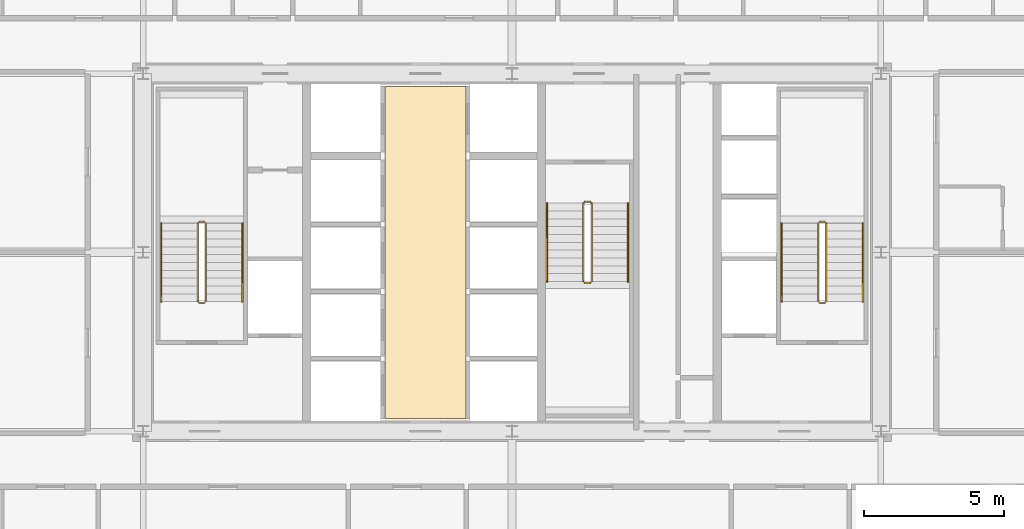
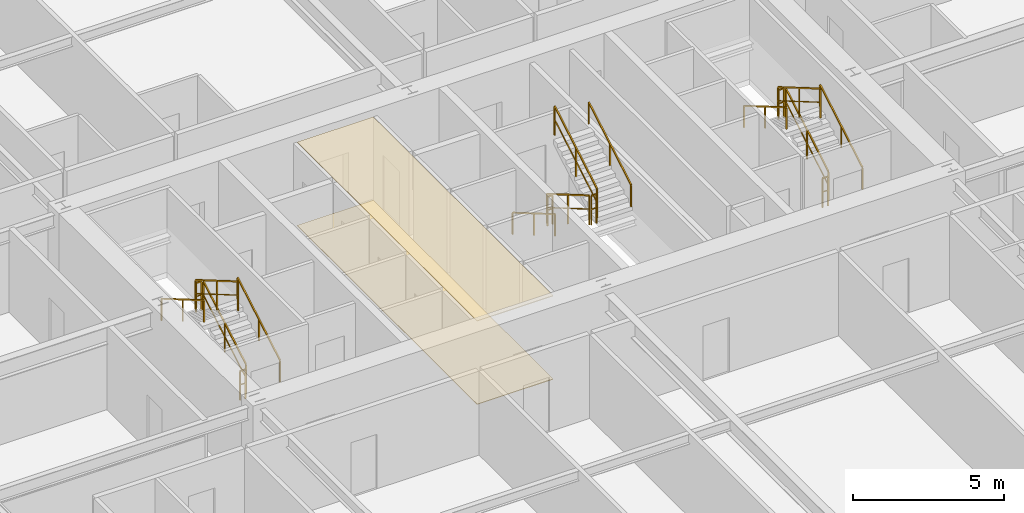
# One storey, part 39 of 39: 18 railings, 2 coverings.
"""IFC4 building model written with IfcOpenShell, lengths in metres."""

from ifc_helpers import new_model, si_unit, direction, frame, origin, origin_2d, place, context, subcontext, project, spatial, polyline, rectangle, outline, extrude, source, transform, mapped, material, layer, layer_set, type_object, element, save


model = new_model("IFC4")

# Units and contexts
model_context = context("Model", 3, precision=1e-05, world=origin(), true_north=direction((0.0, 1.0)))
body_context = subcontext(model_context, "Body", "Model", "MODEL_VIEW")
ifc_project = project(units=[si_unit("LENGTHUNIT", "METRE"), si_unit("AREAUNIT", "SQUARE_METRE"), si_unit("VOLUMEUNIT", "CUBIC_METRE"), si_unit("PLANEANGLEUNIT", "RADIAN"), si_unit("MASSUNIT", "GRAM", prefix="KILO"), si_unit("THERMODYNAMICTEMPERATUREUNIT", "KELVIN"), si_unit("POWERUNIT", "WATT")], contexts=[model_context])

# Site, building, storey
site_placement = place(None, origin())
site = spatial("IfcSite", under=ifc_project, at=site_placement, CompositionType="ELEMENT")
building_placement = place(site_placement, origin())
building = spatial("IfcBuilding", under=site, at=building_placement, Name="Yuzanri Waterfront Tower", CompositionType="ELEMENT")
storey_placement = place(building_placement, frame((0.0, 0.0, 148.800048828125)))
storey = spatial("IfcBuildingStorey", under=building, at=storey_placement, Name="L39", CompositionType="ELEMENT", Elevation=148.800048828125)

# Coverings
ifc_material_1 = material(Name="Engineered Smoked-Oak Timber", Category="wood")
ifc_layer_1 = layer(ifc_material_1, 0.02197265625)
ifc_layer_set_1 = layer_set([ifc_layer_1], Name="Engineered Smoked-Oak Timber")
covering_type_1 = type_object("IfcCoveringType", Name="Engineered Smoked-Oak Residence Flooring 22", PredefinedType="FLOORING", material=ifc_layer_set_1)
covering_1_placement = place(storey_placement, origin())
element("IfcCovering", 1, at=covering_1_placement, inside=storey, type_object=covering_type_1, Name="L39 Smoked-Oak Floor Finish", PredefinedType="FLOORING", context=body_context, shape_type="SweptSolid", body=[
    extrude(outline(polyline([(32.449951171875, 19.860107421875), (35.35009765625, 19.860107421875), (35.35009765625, 31.739990234375), (32.449951171875, 31.739990234375), (32.449951171875, 19.860107421875)])), origin(), (0.0, 0.0, 1.0), 0.02197265625),
])
ifc_material_2 = material(Name="Acoustic Mineral-Fibre Ceiling Board", Category="gypsum")
ifc_layer_2 = layer(ifc_material_2, 0.02490234375)
ifc_layer_set_2 = layer_set([ifc_layer_2], Name="Acoustic Mineral-Fibre Ceiling Board")
covering_type_2 = type_object("IfcCoveringType", Name="Perforated Mineral-Fibre Acoustic Ceiling Tile 25", PredefinedType="CEILING", material=ifc_layer_set_2)
covering_2_placement = place(storey_placement, frame((0.0, 0.0, 3.35498046875)))
element("IfcCovering", 2, at=covering_2_placement, inside=storey, type_object=covering_type_2, Name="L39 Acoustic Mineral-Fibre Ceiling", PredefinedType="CEILING", context=body_context, shape_type="SweptSolid", body=[
    extrude(outline(polyline([(32.449951171875, 19.860107421875), (35.35009765625, 19.860107421875), (35.35009765625, 31.739990234375), (32.449951171875, 31.739990234375), (32.449951171875, 19.860107421875)])), origin(), (0.0, 0.0, 1.0), 0.02490234375),
])

# Railings
ifc_material_3 = material(Name="Painted Galvanized Fire Steel", Category="steel")
ifc_layer_3 = layer(ifc_material_3, 0.06005859375)
ifc_layer_set_3 = layer_set([ifc_layer_3], Name="Painted Galvanized Fire Steel")
railing_type_1 = type_object("IfcRailingType", Name="Painted Steel Stairwell Guardrail 1120", PredefinedType="GUARDRAIL", material=ifc_layer_set_3)
shared_shape_1 = source(origin(), body_context, "Body", "SweptSolid", [
    extrude(rectangle(XDim=0.050048828125, YDim=0.050048828125, at=origin_2d()), frame((0.0, 0.0, 1.1748046875), z_axis=(-1.0, 0.0, 0.0), x_axis=(0.0, -1.0, 0.0)), (0.0, 0.0, 1.0), 0.199951171875),
    extrude(rectangle(XDim=0.035888671875, YDim=0.030029296875, at=origin_2d()), frame((0.0, 0.0, 0.6240234375), z_axis=(-1.0, 0.0, 0.0), x_axis=(0.0, -1.0, 0.0)), (0.0, 0.0, 1.0), 0.199951171875),
    extrude(rectangle(XDim=0.0458984375, YDim=0.0458984375, at=origin_2d()), origin(), (0.0, 0.0, 1.0), 1.14990234375),
    extrude(rectangle(XDim=0.0458984375, YDim=0.0458984375, at=origin_2d()), frame((-0.199951171875, 0.0, 0.0)), (0.0, 0.0, 1.0), 1.14990234375),
])
for number, where, name in (
    (3, (26.0, 26.889892578125, 1.800048828125), "L39 ST-01 stair guard 2"),
    (4, (26.0, 23.989990234375, 0.0), "L39 ST-01 stair guard 4"),
    (5, (48.199951171875, 26.889892578125, 1.800048828125), "L39 ST-02 stair guard 2"),
    (6, (48.199951171875, 23.989990234375, 0.0), "L39 ST-02 stair guard 4"),
):
    element("IfcRailing", number, at=place(storey_placement, frame(where)), inside=storey, type_object=railing_type_1, Name=name, PredefinedType="GUARDRAIL", context=body_context, shape_type="MappedRepresentation", body=[
        mapped(shared_shape_1, transform((0.0, 0.0, 0.0), scale=1.0)),
    ])
shared_shape_2 = source(origin(), body_context, "Body", "SweptSolid", [
    extrude(rectangle(XDim=0.050048828125, YDim=0.050048828125, at=origin_2d()), frame((0.0, 0.0, 1.1748046875), z_axis=(0.0, 0.863393664356, 0.504530851732), x_axis=(-1.0, 0.0, 0.0)), (0.0, 0.0, 1.0), 3.2431640625),
    extrude(rectangle(XDim=0.035888671875, YDim=0.030029296875, at=origin_2d()), frame((0.0, 0.0, 0.6240234375), z_axis=(0.0, 0.863393664356, 0.504530851732), x_axis=(-1.0, 0.0, 0.0)), (0.0, 0.0, 1.0), 3.2431640625),
    extrude(rectangle(XDim=0.0458984375, YDim=0.0458984375, at=origin_2d()), origin(), (0.0, 0.0, 1.0), 1.14990234375),
    extrude(rectangle(XDim=0.0458984375, YDim=0.0458984375, at=origin_2d()), frame((0.0, 1.39990234375, 0.818115234375)), (0.0, 0.0, 1.0), 1.14990234375),
    extrude(rectangle(XDim=0.0458984375, YDim=0.0458984375, at=origin_2d()), frame((0.0, 2.800048828125, 1.63623046875)), (0.0, 0.0, 1.0), 1.14990234375),
])
railing_1_placement = place(storey_placement, frame((39.85009765625, 24.760009765625, 1.963623046875)))
element("IfcRailing", 7, at=railing_1_placement, inside=storey, type_object=railing_type_1, Name="L39 ST-03 stair guard 3", PredefinedType="GUARDRAIL", context=body_context, shape_type="MappedRepresentation", body=[
    mapped(shared_shape_2, transform((0.0, 0.0, 0.0), scale=1.0)),
])
shared_shape_3 = source(origin(), body_context, "Body", "SweptSolid", [
    extrude(rectangle(XDim=0.050048828125, YDim=0.050048828125, at=origin_2d()), frame((0.0, 0.0, 1.1748046875), z_axis=(0.0, -0.863393664356, 0.504530851732), x_axis=(1.0, 0.0, 0.0)), (0.0, 0.0, 1.0), 3.2431640625),
    extrude(rectangle(XDim=0.035888671875, YDim=0.030029296875, at=origin_2d()), frame((0.0, 0.0, 0.6240234375), z_axis=(0.0, -0.863393664356, 0.504530851732), x_axis=(1.0, 0.0, 0.0)), (0.0, 0.0, 1.0), 3.2431640625),
    extrude(rectangle(XDim=0.0458984375, YDim=0.0458984375, at=origin_2d()), origin(), (0.0, 0.0, 1.0), 1.14990234375),
    extrude(rectangle(XDim=0.0458984375, YDim=0.0458984375, at=origin_2d()), frame((0.0, -1.39990234375, 0.818115234375)), (0.0, 0.0, 1.0), 1.14990234375),
    extrude(rectangle(XDim=0.0458984375, YDim=0.0458984375, at=origin_2d()), frame((0.0, -2.800048828125, 1.63623046875)), (0.0, 0.0, 1.0), 1.14990234375),
])
for number, where, name in (
    (8, (25.75, 26.840087890625, 1.963623046875), "L39 ST-01 stair guard 3"),
    (9, (47.949951171875, 26.840087890625, 1.963623046875), "L39 ST-02 stair guard 3"),
):
    element("IfcRailing", number, at=place(storey_placement, frame(where)), inside=storey, type_object=railing_type_1, Name=name, PredefinedType="GUARDRAIL", context=body_context, shape_type="MappedRepresentation", body=[
        mapped(shared_shape_3, transform((0.0, 0.0, 0.0), scale=1.0)),
    ])
ifc_material_4 = material(Name="Anodized Architectural Bronze", Category="metal")
ifc_layer_4 = layer(ifc_material_4, 0.050048828125)
ifc_layer_set_4 = layer_set([ifc_layer_4], Name="Anodized Architectural Bronze")
railing_type_2 = type_object("IfcRailingType", Name="Brushed Bronze Stair Pitch Handrail 920", PredefinedType="HANDRAIL", material=ifc_layer_set_4)
shared_shape_4 = source(origin(), body_context, "Body", "SweptSolid", [
    extrude(rectangle(XDim=0.050048828125, YDim=0.050048828125, at=origin_2d()), frame((0.0, 0.0, 0.875), z_axis=(0.0, 0.863393664356, 0.504530851732), x_axis=(-1.0, 0.0, 0.0)), (0.0, 0.0, 1.0), 3.2431640625),
    extrude(rectangle(XDim=0.0458984375, YDim=0.0458984375, at=origin_2d()), origin(), (0.0, 0.0, 1.0), 0.849853515625),
    extrude(rectangle(XDim=0.0458984375, YDim=0.0458984375, at=origin_2d()), frame((0.0, 1.39990234375, 0.818115234375)), (0.0, 0.0, 1.0), 0.849853515625),
    extrude(rectangle(XDim=0.0458984375, YDim=0.0458984375, at=origin_2d()), frame((0.0, 2.800048828125, 1.63623046875)), (0.0, 0.0, 1.0), 0.849853515625),
])
railing_2_placement = place(storey_placement, frame((41.14990234375, 24.760009765625, 1.963623046875)))
element("IfcRailing", 10, at=railing_2_placement, inside=storey, type_object=railing_type_2, Name="L39 ST-03 stair handrail 2", PredefinedType="HANDRAIL", context=body_context, shape_type="MappedRepresentation", body=[
    mapped(shared_shape_4, transform((0.0, 0.0, 0.0), scale=1.0)),
])
shared_shape_5 = source(origin(), body_context, "Body", "SweptSolid", [
    extrude(rectangle(XDim=0.050048828125, YDim=0.050048828125, at=origin_2d()), frame((0.0, 0.0, 0.875), z_axis=(0.0, -0.863393664356, 0.504530851732), x_axis=(1.0, 0.0, 0.0)), (0.0, 0.0, 1.0), 3.2431640625),
    extrude(rectangle(XDim=0.0458984375, YDim=0.0458984375, at=origin_2d()), origin(), (0.0, 0.0, 1.0), 0.849853515625),
    extrude(rectangle(XDim=0.0458984375, YDim=0.0458984375, at=origin_2d()), frame((0.0, -1.39990234375, 0.818115234375)), (0.0, 0.0, 1.0), 0.849853515625),
    extrude(rectangle(XDim=0.0458984375, YDim=0.0458984375, at=origin_2d()), frame((0.0, -2.800048828125, 1.63623046875)), (0.0, 0.0, 1.0), 0.849853515625),
])
for number, where, name in (
    (11, (24.449951171875, 26.840087890625, 1.963623046875), "L39 ST-01 stair handrail 2"),
    (12, (46.64990234375, 26.840087890625, 1.963623046875), "L39 ST-02 stair handrail 2"),
):
    element("IfcRailing", number, at=place(storey_placement, frame(where)), inside=storey, type_object=railing_type_2, Name=name, PredefinedType="HANDRAIL", context=body_context, shape_type="MappedRepresentation", body=[
        mapped(shared_shape_5, transform((0.0, 0.0, 0.0), scale=1.0)),
    ])
shared_shape_6 = source(origin(), body_context, "Body", "SweptSolid", [
    extrude(rectangle(XDim=0.050048828125, YDim=0.050048828125, at=origin_2d()), frame((0.0, 0.0, 1.1748046875), z_axis=(0.0, 0.863360870873, 0.504586966384), x_axis=(-1.0, 0.0, 0.0)), (0.0, 0.0, 1.0), 3.2431640625),
    extrude(rectangle(XDim=0.035888671875, YDim=0.030029296875, at=origin_2d()), frame((0.0, 0.0, 0.6240234375), z_axis=(0.0, 0.863360870873, 0.504586966384), x_axis=(-1.0, 0.0, 0.0)), (0.0, 0.0, 1.0), 3.2431640625),
    extrude(rectangle(XDim=0.0458984375, YDim=0.0458984375, at=origin_2d()), origin(), (0.0, 0.0, 1.0), 1.14990234375),
    extrude(rectangle(XDim=0.0458984375, YDim=0.0458984375, at=origin_2d()), frame((0.0, 1.39990234375, 0.818359375)), (0.0, 0.0, 1.0), 1.14990234375),
    extrude(rectangle(XDim=0.0458984375, YDim=0.0458984375, at=origin_2d()), frame((0.0, 2.800048828125, 1.636474609375)), (0.0, 0.0, 1.0), 1.14990234375),
])
for number, where, name in (
    (13, (26.050048828125, 24.0400390625, 0.16357421875), "L39 ST-01 stair guard 1"),
    (14, (48.25, 24.0400390625, 0.16357421875), "L39 ST-02 stair guard 1"),
):
    element("IfcRailing", number, at=place(storey_placement, frame(where)), inside=storey, type_object=railing_type_1, Name=name, PredefinedType="GUARDRAIL", context=body_context, shape_type="MappedRepresentation", body=[
        mapped(shared_shape_6, transform((0.0, 0.0, 0.0), scale=1.0)),
    ])
shared_shape_7 = source(origin(), body_context, "Body", "SweptSolid", [
    extrude(rectangle(XDim=0.050048828125, YDim=0.050048828125, at=origin_2d()), frame((0.0, 0.0, 1.1748046875), z_axis=(0.0, -0.863360870873, 0.504586966384), x_axis=(1.0, 0.0, 0.0)), (0.0, 0.0, 1.0), 3.2431640625),
    extrude(rectangle(XDim=0.035888671875, YDim=0.030029296875, at=origin_2d()), frame((0.0, 0.0, 0.6240234375), z_axis=(0.0, -0.863360870873, 0.504586966384), x_axis=(1.0, 0.0, 0.0)), (0.0, 0.0, 1.0), 3.2431640625),
    extrude(rectangle(XDim=0.0458984375, YDim=0.0458984375, at=origin_2d()), origin(), (0.0, 0.0, 1.0), 1.14990234375),
    extrude(rectangle(XDim=0.0458984375, YDim=0.0458984375, at=origin_2d()), frame((0.0, -1.39990234375, 0.818359375)), (0.0, 0.0, 1.0), 1.14990234375),
    extrude(rectangle(XDim=0.0458984375, YDim=0.0458984375, at=origin_2d()), frame((0.0, -2.800048828125, 1.636474609375)), (0.0, 0.0, 1.0), 1.14990234375),
])
railing_3_placement = place(storey_placement, frame((39.550048828125, 27.56005859375, 0.16357421875)))
element("IfcRailing", 15, at=railing_3_placement, inside=storey, type_object=railing_type_1, Name="L39 ST-03 stair guard 1", PredefinedType="GUARDRAIL", context=body_context, shape_type="MappedRepresentation", body=[
    mapped(shared_shape_7, transform((0.0, 0.0, 0.0), scale=1.0)),
])
shared_shape_8 = source(origin(), body_context, "Body", "SweptSolid", [
    extrude(rectangle(XDim=0.050048828125, YDim=0.050048828125, at=origin_2d()), frame((0.0, 0.0, 0.875), z_axis=(0.0, 0.863360870873, 0.504586966384), x_axis=(-1.0, 0.0, 0.0)), (0.0, 0.0, 1.0), 3.2431640625),
    extrude(rectangle(XDim=0.0458984375, YDim=0.0458984375, at=origin_2d()), origin(), (0.0, 0.0, 1.0), 0.849853515625),
    extrude(rectangle(XDim=0.0458984375, YDim=0.0458984375, at=origin_2d()), frame((0.0, 1.39990234375, 0.818359375)), (0.0, 0.0, 1.0), 0.849853515625),
    extrude(rectangle(XDim=0.0458984375, YDim=0.0458984375, at=origin_2d()), frame((0.0, 2.800048828125, 1.636474609375)), (0.0, 0.0, 1.0), 0.849853515625),
])
for number, where, name in (
    (16, (27.35009765625, 24.0400390625, 0.16357421875), "L39 ST-01 stair handrail 1"),
    (17, (49.550048828125, 24.0400390625, 0.16357421875), "L39 ST-02 stair handrail 1"),
):
    element("IfcRailing", number, at=place(storey_placement, frame(where)), inside=storey, type_object=railing_type_2, Name=name, PredefinedType="HANDRAIL", context=body_context, shape_type="MappedRepresentation", body=[
        mapped(shared_shape_8, transform((0.0, 0.0, 0.0), scale=1.0)),
    ])
shared_shape_9 = source(origin(), body_context, "Body", "SweptSolid", [
    extrude(rectangle(XDim=0.050048828125, YDim=0.050048828125, at=origin_2d()), frame((0.0, 0.0, 0.875), z_axis=(0.0, -0.863360870873, 0.504586966384), x_axis=(1.0, 0.0, 0.0)), (0.0, 0.0, 1.0), 3.2431640625),
    extrude(rectangle(XDim=0.0458984375, YDim=0.0458984375, at=origin_2d()), origin(), (0.0, 0.0, 1.0), 0.849853515625),
    extrude(rectangle(XDim=0.0458984375, YDim=0.0458984375, at=origin_2d()), frame((0.0, -1.39990234375, 0.818359375)), (0.0, 0.0, 1.0), 0.849853515625),
    extrude(rectangle(XDim=0.0458984375, YDim=0.0458984375, at=origin_2d()), frame((0.0, -2.800048828125, 1.636474609375)), (0.0, 0.0, 1.0), 0.849853515625),
])
railing_4_placement = place(storey_placement, frame((38.25, 27.56005859375, 0.16357421875)))
element("IfcRailing", 18, at=railing_4_placement, inside=storey, type_object=railing_type_2, Name="L39 ST-03 stair handrail 1", PredefinedType="HANDRAIL", context=body_context, shape_type="MappedRepresentation", body=[
    mapped(shared_shape_9, transform((0.0, 0.0, 0.0), scale=1.0)),
])
shared_shape_10 = source(origin(), body_context, "Body", "SweptSolid", [
    extrude(rectangle(XDim=0.050048828125, YDim=0.050048828125, at=origin_2d()), frame((0.0, 0.0, 1.1748046875), z_axis=(1.0, 0.0, 0.0), x_axis=(0.0, 1.0, 0.0)), (0.0, 0.0, 1.0), 0.199951171875),
    extrude(rectangle(XDim=0.035888671875, YDim=0.030029296875, at=origin_2d()), frame((0.0, 0.0, 0.6240234375), z_axis=(1.0, 0.0, 0.0), x_axis=(0.0, 1.0, 0.0)), (0.0, 0.0, 1.0), 0.199951171875),
    extrude(rectangle(XDim=0.0458984375, YDim=0.0458984375, at=origin_2d()), origin(), (0.0, 0.0, 1.0), 1.14990234375),
    extrude(rectangle(XDim=0.0458984375, YDim=0.0458984375, at=origin_2d()), frame((0.199951171875, 0.0, 0.0)), (0.0, 0.0, 1.0), 1.14990234375),
])
for number, where, name in (
    (19, (39.60009765625, 24.7099609375, 1.800048828125), "L39 ST-03 stair guard 2"),
    (20, (39.60009765625, 27.610107421875, 0.0), "L39 ST-03 stair guard 4"),
):
    element("IfcRailing", number, at=place(storey_placement, frame(where)), inside=storey, type_object=railing_type_1, Name=name, PredefinedType="GUARDRAIL", context=body_context, shape_type="MappedRepresentation", body=[
        mapped(shared_shape_10, transform((0.0, 0.0, 0.0), scale=1.0)),
    ])

save(model, "model.ifc")
